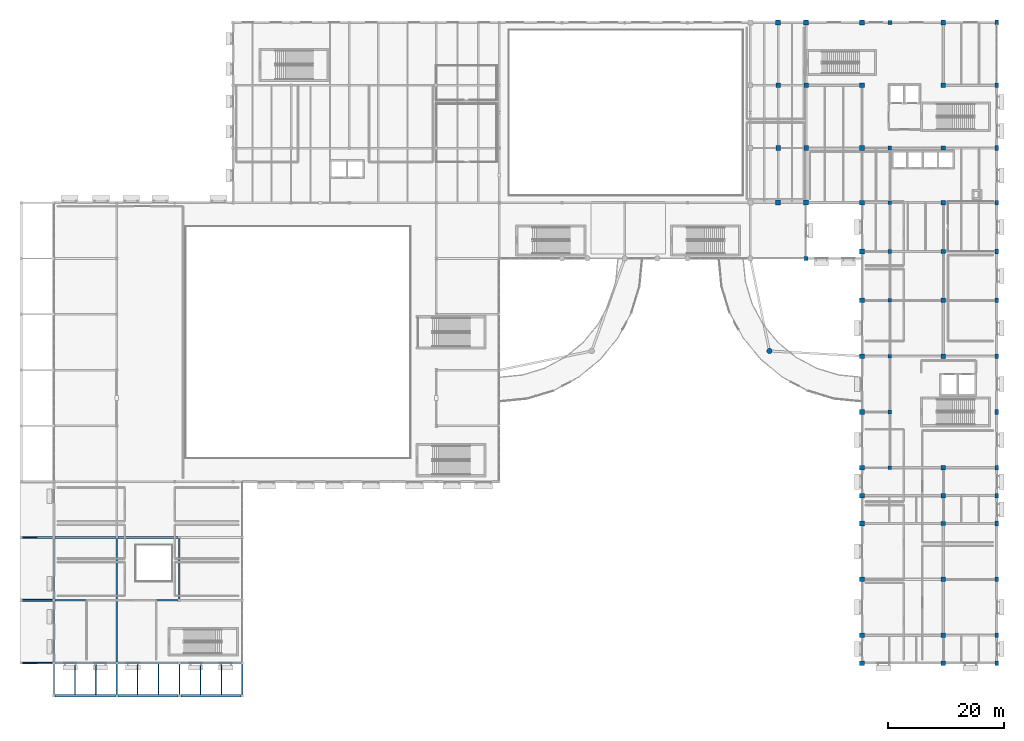
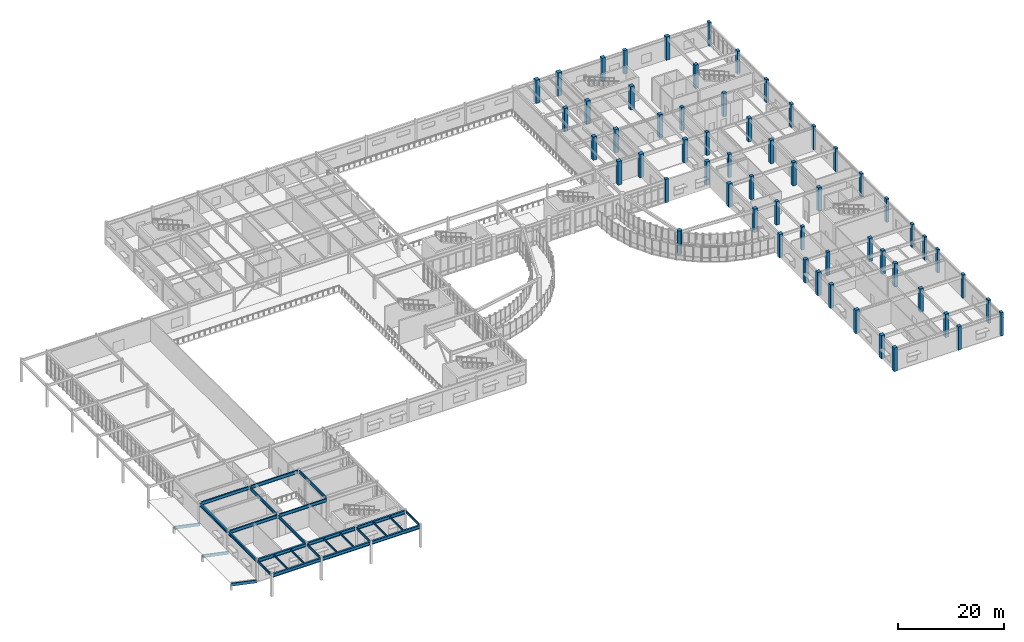
# One storey, part 9 of 72: 59 columns, 25 beams, 3 members, 1 element without a shape of its own.
"""IFC4 building model written with IfcOpenShell, lengths in metres."""

from ifc_helpers import new_model, si_unit, direction, frame, origin, origin_2d, place, context, subcontext, project, spatial, rectangle, circle, i_section, extrude, material, material_profile, profile_set, type_object, element, aggregate, save


model = new_model("IFC4")

# Units and contexts
model_context = context("Model", 3, precision=1e-05, world=origin(), true_north=direction((0.0, 1.0)))
body_context = subcontext(model_context, "Body", "Model", "MODEL_VIEW")
ifc_project = project(units=[si_unit("LENGTHUNIT", "METRE"), si_unit("AREAUNIT", "SQUARE_METRE"), si_unit("VOLUMEUNIT", "CUBIC_METRE"), si_unit("PLANEANGLEUNIT", "RADIAN"), si_unit("MASSUNIT", "GRAM", prefix="KILO")], contexts=[model_context])

# Site, building, storey
site_placement = place(None, origin())
site = spatial("IfcSite", under=ifc_project, at=site_placement, CompositionType="ELEMENT")
building_placement = place(site_placement, origin())
building = spatial("IfcBuilding", under=site, at=building_placement, Name="Veldera Park Congress Hotel", CompositionType="ELEMENT")
storey_placement = place(building_placement, frame((0.0, 0.0, 5.39990234375)))
storey = spatial("IfcBuildingStorey", under=building, at=storey_placement, Name="L01", CompositionType="ELEMENT", Elevation=5.39990234375)

# Columns
ifc_material_1 = material(Name="Concrete f'c 40 MPa (5,800 psi)", Category="concrete")
ifc_material_profile_1 = material_profile(ifc_material_1, rectangle(XDim=0.550048828125, YDim=0.800048828125, at=origin_2d()), Name="RC 550x800")
ifc_profile_set_1 = profile_set([ifc_material_profile_1], Name="Concrete f'c 40 MPa (5,800 psi)")
column_type_1 = type_object("IfcColumnType", Name="COL-PIL75E", PredefinedType="PILASTER", material=ifc_profile_set_1)
for number, where, z_axis, x_axis, name in (
    (1, (84.0, -52.199951171875, 0.0), (0.0, 0.0, 1.0), (1.0, 0.0, 0.0), "L01 Column COL-PIL75E (84.0,-52.2)"),
    (2, (84.0, -47.39990234375, 0.0), (0.0, 0.0, 1.0), (1.0, 0.0, 0.0), "L01 Column COL-PIL75E (84.0,-47.4)"),
    (3, (84.0, -37.800048828125, 0.0), (0.0, 0.0, 1.0), (1.0, 0.0, 0.0), "L01 Column COL-PIL75E (84.0,-37.8)"),
    (4, (84.0, -28.199951171875, 0.0), (0.0, 0.0, 1.0), (1.0, 0.0, 0.0), "L01 Column COL-PIL75E (84.0,-28.2)"),
    (5, (84.0, -23.39990234375, 0.0), (0.0, 0.0, 1.0), (1.0, 0.0, 0.0), "L01 Column COL-PIL75E (84.0,-23.4)"),
    (6, (84.0, -18.60009765625, 0.0), (0.0, 0.0, 1.0), (1.0, 0.0, 0.0), "L01 Column COL-PIL75E (84.0,-18.6)"),
    (7, (84.0, -9.0, 0.0), (0.0, 0.0, 1.0), (1.0, 0.0, 0.0), "L01 Column COL-PIL75E (84.0,-9.0)"),
    (8, (84.0, 0.60009765625, 0.0), (0.0, 0.0, 1.0), (1.0, 0.0, 0.0), "L01 Column COL-PIL75E (84.0,0.6)"),
    (9, (84.0, 10.199951171875, 0.0), (0.0, 0.0, 1.0), (1.0, 0.0, 0.0), "L01 Column COL-PIL75E (84.0,10.2)"),
    (10, (84.0, 18.60009765625, 0.0), (0.0, 0.0, 1.0), (1.0, 0.0, 0.0), "L01 Column COL-PIL75E (84.0,18.6)"),
    (11, (84.0, 27.0, 0.0), (0.0, 0.0, 1.0), (1.0, 0.0, 0.0), "L01 Column COL-PIL75E (84.0,27.0)"),
    (12, (84.0, 36.39990234375, 0.0), (0.0, 0.0, 1.0), (1.0, 0.0, 0.0), "L01 Column COL-PIL75E (84.0,36.4)"),
    (13, (84.0, 47.199951171875, 0.0), (0.0, 0.0, 1.0), (1.0, 0.0, 0.0), "L01 Column COL-PIL75E (84.0,47.2)"),
    (14, (84.0, 58.0, 0.0), (0.0, 0.0, 1.0), (1.0, 0.0, 0.0), "L01 Column COL-PIL75E (84.0,58.0)"),
):
    element("IfcColumn", number, at=place(storey_placement, frame(where, z_axis=z_axis, x_axis=x_axis)), inside=storey, type_object=column_type_1, Name=name, PredefinedType="PILASTER", context=body_context, shape_type="SweptSolid", body=[
        extrude(rectangle(XDim=0.550048828125, YDim=0.800048828125, at=origin_2d()), origin(), (0.0, 0.0, 1.0), 5.400146484375),
    ])
ifc_material_profile_2 = material_profile(ifc_material_1, rectangle(XDim=0.64990234375, YDim=0.64990234375, at=origin_2d()), Name="RC 650x650")
ifc_profile_set_2 = profile_set([ifc_material_profile_2], Name="Concrete f'c 40 MPa (5,800 psi)")
column_type_2 = type_object("IfcColumnType", Name="COL-RC60E", PredefinedType="COLUMN", material=ifc_profile_set_2)
column_1_placement = place(storey_placement, frame((51.199951171875, 17.39990234375, 0.0), z_axis=(0.0, 0.0, 1.0), x_axis=(1.0, 0.0, 0.0)))
element("IfcColumn", 15, at=column_1_placement, inside=storey, type_object=column_type_2, Name="L01 Column COL-RC60E (51.2,17.4)", PredefinedType="COLUMN", context=body_context, shape_type="SweptSolid", body=[
    extrude(rectangle(XDim=0.64990234375, YDim=0.64990234375, at=origin_2d()), origin(), (0.0, 0.0, 1.0), 5.400146484375),
])
ifc_material_profile_3 = material_profile(ifc_material_1, rectangle(XDim=0.64990234375, YDim=0.64990234375, at=origin_2d()), Name="RC 650x650")
ifc_profile_set_3 = profile_set([ifc_material_profile_3], Name="Concrete f'c 40 MPa (5,800 psi)")
column_type_3 = type_object("IfcColumnType", Name="COL-RC65", PredefinedType="COLUMN", material=ifc_profile_set_3)
for number, where, z_axis, x_axis, name in (
    (16, (65.60009765625, -18.60009765625, 0.0), (0.0, 0.0, 1.0), (1.0, 0.0, 0.0), "L01 Column COL-RC65 (65.6,-18.6)"),
    (17, (65.60009765625, -9.0, 0.0), (0.0, 0.0, 1.0), (1.0, 0.0, 0.0), "L01 Column COL-RC65 (65.6,-9.0)"),
    (18, (65.60009765625, 0.60009765625, 0.0), (0.0, 0.0, 1.0), (1.0, 0.0, 0.0), "L01 Column COL-RC65 (65.6,0.6)"),
    (19, (65.60009765625, 10.199951171875, 0.0), (0.0, 0.0, 1.0), (1.0, 0.0, 0.0), "L01 Column COL-RC65 (65.6,10.2)"),
    (20, (65.60009765625, 18.60009765625, 0.0), (0.0, 0.0, 1.0), (1.0, 0.0, 0.0), "L01 Column COL-RC65 (65.6,18.6)"),
    (21, (65.60009765625, 27.0, 0.0), (0.0, 0.0, 1.0), (1.0, 0.0, 0.0), "L01 Column COL-RC65 (65.6,27.0)"),
    (22, (65.60009765625, 36.39990234375, 0.0), (0.0, 0.0, 1.0), (1.0, 0.0, 0.0), "L01 Column COL-RC65 (65.6,36.4)"),
):
    element("IfcColumn", number, at=place(storey_placement, frame(where, z_axis=z_axis, x_axis=x_axis)), inside=storey, type_object=column_type_3, Name=name, PredefinedType="COLUMN", context=body_context, shape_type="SweptSolid", body=[
        extrude(rectangle(XDim=0.64990234375, YDim=0.64990234375, at=origin_2d()), origin(), (0.0, 0.0, 1.0), 5.400146484375),
    ])
ifc_material_profile_4 = material_profile(ifc_material_1, rectangle(XDim=0.699951171875, YDim=0.699951171875, at=origin_2d()), Name="RC 700x700")
ifc_profile_set_4 = profile_set([ifc_material_profile_4], Name="Concrete f'c 40 MPa (5,800 psi)")
column_type_4 = type_object("IfcColumnType", Name="COL-RC65E", PredefinedType="COLUMN", material=ifc_profile_set_4)
column_2_placement = place(storey_placement, frame((65.60009765625, 58.0, 0.0), z_axis=(0.0, 0.0, 1.0), x_axis=(1.0, 0.0, 0.0)))
element("IfcColumn", 23, at=column_2_placement, inside=storey, type_object=column_type_4, Name="L01 Column COL-RC65E (65.6,58.0)", PredefinedType="COLUMN", context=body_context, shape_type="SweptSolid", body=[
    extrude(rectangle(XDim=0.699951171875, YDim=0.699951171875, at=origin_2d()), origin(), (0.0, 0.0, 1.0), 5.400146484375),
])
ifc_material_profile_5 = material_profile(ifc_material_1, rectangle(XDim=0.75, YDim=0.75, at=origin_2d()), Name="RC 750x750")
ifc_profile_set_5 = profile_set([ifc_material_profile_5], Name="Concrete f'c 40 MPa (5,800 psi)")
column_type_5 = type_object("IfcColumnType", Name="COL-RC75", PredefinedType="COLUMN", material=ifc_profile_set_5)
for number, where, z_axis, x_axis, name in (
    (24, (74.800048828125, -52.199951171875, 0.0), (0.0, 0.0, 1.0), (1.0, 0.0, 0.0), "L01 Column COL-RC75 (74.8,-52.2)"),
    (25, (74.800048828125, -47.39990234375, 0.0), (0.0, 0.0, 1.0), (1.0, 0.0, 0.0), "L01 Column COL-RC75 (74.8,-47.4)"),
    (26, (74.800048828125, -37.800048828125, 0.0), (0.0, 0.0, 1.0), (1.0, 0.0, 0.0), "L01 Column COL-RC75 (74.8,-37.8)"),
    (27, (74.800048828125, -28.199951171875, 0.0), (0.0, 0.0, 1.0), (1.0, 0.0, 0.0), "L01 Column COL-RC75 (74.8,-28.2)"),
    (28, (74.800048828125, -23.39990234375, 0.0), (0.0, 0.0, 1.0), (1.0, 0.0, 0.0), "L01 Column COL-RC75 (74.8,-23.4)"),
    (29, (74.800048828125, -18.60009765625, 0.0), (0.0, 0.0, 1.0), (1.0, 0.0, 0.0), "L01 Column COL-RC75 (74.8,-18.6)"),
    (30, (74.800048828125, 0.60009765625, 0.0), (0.0, 0.0, 1.0), (1.0, 0.0, 0.0), "L01 Column COL-RC75 (74.8,0.6)"),
    (31, (74.800048828125, 10.199951171875, 0.0), (0.0, 0.0, 1.0), (1.0, 0.0, 0.0), "L01 Column COL-RC75 (74.8,10.2)"),
    (32, (74.800048828125, 18.60009765625, 0.0), (0.0, 0.0, 1.0), (1.0, 0.0, 0.0), "L01 Column COL-RC75 (74.8,18.6)"),
    (33, (74.800048828125, 27.0, 0.0), (0.0, 0.0, 1.0), (1.0, 0.0, 0.0), "L01 Column COL-RC75 (74.8,27.0)"),
    (34, (74.800048828125, 36.39990234375, 0.0), (0.0, 0.0, 1.0), (1.0, 0.0, 0.0), "L01 Column COL-RC75 (74.8,36.4)"),
    (35, (74.800048828125, 47.199951171875, 0.0), (0.0, 0.0, 1.0), (1.0, 0.0, 0.0), "L01 Column COL-RC75 (74.8,47.2)"),
):
    element("IfcColumn", number, at=place(storey_placement, frame(where, z_axis=z_axis, x_axis=x_axis)), inside=storey, type_object=column_type_5, Name=name, PredefinedType="COLUMN", context=body_context, shape_type="SweptSolid", body=[
        extrude(rectangle(XDim=0.75, YDim=0.75, at=origin_2d()), origin(), (0.0, 0.0, 1.0), 5.400146484375),
    ])
ifc_material_profile_6 = material_profile(ifc_material_1, rectangle(XDim=0.800048828125, YDim=0.800048828125, at=origin_2d()), Name="RC 800x800")
ifc_profile_set_6 = profile_set([ifc_material_profile_6], Name="Concrete f'c 40 MPa (5,800 psi)")
column_type_6 = type_object("IfcColumnType", Name="COL-RC75E", PredefinedType="COLUMN", material=ifc_profile_set_6)
for number, where, z_axis, x_axis, name in (
    (36, (60.800048828125, -52.199951171875, 0.0), (0.0, 0.0, 1.0), (1.0, 0.0, 0.0), "L01 Column COL-RC75E (60.8,-52.2)"),
    (37, (60.800048828125, -47.39990234375, 0.0), (0.0, 0.0, 1.0), (1.0, 0.0, 0.0), "L01 Column COL-RC75E (60.8,-47.4)"),
    (38, (60.800048828125, -37.800048828125, 0.0), (0.0, 0.0, 1.0), (1.0, 0.0, 0.0), "L01 Column COL-RC75E (60.8,-37.8)"),
    (39, (60.800048828125, -28.199951171875, 0.0), (0.0, 0.0, 1.0), (1.0, 0.0, 0.0), "L01 Column COL-RC75E (60.8,-28.2)"),
    (40, (60.800048828125, -23.39990234375, 0.0), (0.0, 0.0, 1.0), (1.0, 0.0, 0.0), "L01 Column COL-RC75E (60.8,-23.4)"),
    (41, (60.800048828125, -18.60009765625, 0.0), (0.0, 0.0, 1.0), (1.0, 0.0, 0.0), "L01 Column COL-RC75E (60.8,-18.6)"),
    (42, (60.800048828125, -9.0, 0.0), (0.0, 0.0, 1.0), (1.0, 0.0, 0.0), "L01 Column COL-RC75E (60.8,-9.0)"),
    (43, (60.800048828125, 0.60009765625, 0.0), (0.0, 0.0, 1.0), (1.0, 0.0, 0.0), "L01 Column COL-RC75E (60.8,0.6)"),
    (44, (60.800048828125, 10.199951171875, 0.0), (0.0, 0.0, 1.0), (1.0, 0.0, 0.0), "L01 Column COL-RC75E (60.8,10.2)"),
    (45, (60.800048828125, 18.60009765625, 0.0), (0.0, 0.0, 1.0), (1.0, 0.0, 0.0), "L01 Column COL-RC75E (60.8,18.6)"),
    (46, (60.800048828125, 27.0, 0.0), (0.0, 0.0, 1.0), (1.0, 0.0, 0.0), "L01 Column COL-RC75E (60.8,27.0)"),
    (47, (60.800048828125, 36.39990234375, 0.0), (0.0, 0.0, 1.0), (1.0, 0.0, 0.0), "L01 Column COL-RC75E (60.8,36.4)"),
    (48, (60.800048828125, 47.199951171875, 0.0), (0.0, 0.0, 1.0), (1.0, 0.0, 0.0), "L01 Column COL-RC75E (60.8,47.2)"),
    (49, (60.800048828125, 58.0, 0.0), (0.0, 0.0, 1.0), (1.0, 0.0, 0.0), "L01 Column COL-RC75E (60.8,58.0)"),
    (50, (74.800048828125, 58.0, 0.0), (0.0, 0.0, 1.0), (1.0, 0.0, 0.0), "L01 Column COL-RC75E (74.8,58.0)"),
):
    element("IfcColumn", number, at=place(storey_placement, frame(where, z_axis=z_axis, x_axis=x_axis)), inside=storey, type_object=column_type_6, Name=name, PredefinedType="COLUMN", context=body_context, shape_type="SweptSolid", body=[
        extrude(rectangle(XDim=0.800048828125, YDim=0.800048828125, at=origin_2d()), origin(), (0.0, 0.0, 1.0), 5.400146484375),
    ])
ifc_material_2 = material(Name="Concrete f'c 50 MPa (7,250 psi)", Category="concrete")
ifc_material_profile_7 = material_profile(ifc_material_2, rectangle(XDim=0.800048828125, YDim=0.800048828125, at=origin_2d()), Name="RC 800x800")
ifc_profile_set_7 = profile_set([ifc_material_profile_7], Name="Concrete f'c 50 MPa (7,250 psi)")
column_type_7 = type_object("IfcColumnType", Name="COL-RC80", PredefinedType="COLUMN", material=ifc_profile_set_7)
for number, where, z_axis, x_axis, name in (
    (51, (46.39990234375, 36.39990234375, 0.0), (0.0, 0.0, 1.0), (1.0, 0.0, 0.0), "L01 Column COL-RC80 (46.4,36.4)"),
    (52, (46.39990234375, 47.199951171875, 0.0), (0.0, 0.0, 1.0), (1.0, 0.0, 0.0), "L01 Column COL-RC80 (46.4,47.2)"),
    (53, (51.199951171875, 36.39990234375, 0.0), (0.0, 0.0, 1.0), (1.0, 0.0, 0.0), "L01 Column COL-RC80 (51.2,36.4)"),
    (54, (51.199951171875, 47.199951171875, 0.0), (0.0, 0.0, 1.0), (1.0, 0.0, 0.0), "L01 Column COL-RC80 (51.2,47.2)"),
):
    element("IfcColumn", number, at=place(storey_placement, frame(where, z_axis=z_axis, x_axis=x_axis)), inside=storey, type_object=column_type_7, Name=name, PredefinedType="COLUMN", context=body_context, shape_type="SweptSolid", body=[
        extrude(rectangle(XDim=0.800048828125, YDim=0.800048828125, at=origin_2d()), origin(), (0.0, 0.0, 1.0), 5.400146484375),
    ])
ifc_material_profile_8 = material_profile(ifc_material_2, rectangle(XDim=0.85009765625, YDim=0.85009765625, at=origin_2d()), Name="RC 850x850")
ifc_profile_set_8 = profile_set([ifc_material_profile_8], Name="Concrete f'c 50 MPa (7,250 psi)")
column_type_8 = type_object("IfcColumnType", Name="COL-RC80E", PredefinedType="COLUMN", material=ifc_profile_set_8)
for number, where, z_axis, x_axis, name in (
    (55, (46.39990234375, 27.0, 0.0), (0.0, 0.0, 1.0), (1.0, 0.0, 0.0), "L01 Column COL-RC80E (46.4,27.0)"),
    (56, (46.39990234375, 58.0, 0.0), (0.0, 0.0, 1.0), (1.0, 0.0, 0.0), "L01 Column COL-RC80E (46.4,58.0)"),
    (57, (51.199951171875, 27.0, 0.0), (0.0, 0.0, 1.0), (1.0, 0.0, 0.0), "L01 Column COL-RC80E (51.2,27.0)"),
    (58, (51.199951171875, 58.0, 0.0), (0.0, 0.0, 1.0), (1.0, 0.0, 0.0), "L01 Column COL-RC80E (51.2,58.0)"),
):
    element("IfcColumn", number, at=place(storey_placement, frame(where, z_axis=z_axis, x_axis=x_axis)), inside=storey, type_object=column_type_8, Name=name, PredefinedType="COLUMN", context=body_context, shape_type="SweptSolid", body=[
        extrude(rectangle(XDim=0.85009765625, YDim=0.85009765625, at=origin_2d()), origin(), (0.0, 0.0, 1.0), 5.400146484375),
    ])
ifc_material_profile_9 = material_profile(ifc_material_2, circle(Radius=0.47509765625, at=origin_2d()), Name="RC D950")
ifc_profile_set_9 = profile_set([ifc_material_profile_9], Name="Concrete f'c 50 MPa (7,250 psi)")
column_type_9 = type_object("IfcColumnType", Name="COL-RCD90E", PredefinedType="COLUMN", material=ifc_profile_set_9)
column_3_placement = place(storey_placement, frame((44.89013671875, 1.489990234375, 0.0), z_axis=(0.0, 0.0, 1.0), x_axis=(1.0, 0.0, 0.0)))
element("IfcColumn", 59, at=column_3_placement, inside=storey, type_object=column_type_9, Name="L01 Column COL-RCD90E (44.9,1.5)", PredefinedType="COLUMN", context=body_context, shape_type="SweptSolid", body=[
    extrude(circle(Radius=0.47509765625, at=origin_2d()), origin(), (0.0, 0.0, 1.0), 5.400146484375),
])

# Beams
ifc_material_3 = material(Name="Steel ASTM A992 Gr.50", Category="steel")
ifc_material_profile_10 = material_profile(ifc_material_3, i_section(OverallWidth=0.2119140625, OverallDepth=0.5439453125, WebThickness=0.01318359375, FlangeThickness=0.021240234375, at=origin_2d()), Name="W21X83")
ifc_profile_set_10 = profile_set([ifc_material_profile_10], Name="Steel ASTM A992 Gr.50")
beam_type_1 = type_object("IfcBeamType", Name="BM-W21C", PredefinedType="BEAM", material=ifc_profile_set_10)
for number, where, z_axis, x_axis, name in (
    (60, (-67.39990234375, -57.574951171875, 4.858154296875), (0.0, 1.0, 0.0), (-1.0, 0.0, 0.0), "L01 Girder BM-W21C 673"),
    (61, (-56.60009765625, -57.574951171875, 4.858154296875), (0.0, 1.0, 0.0), (-1.0, 0.0, 0.0), "L01 Girder BM-W21C 682"),
    (62, (-45.800048828125, -57.574951171875, 4.858154296875), (0.0, 1.0, 0.0), (-1.0, 0.0, 0.0), "L01 Girder BM-W21C 687"),
):
    element("IfcBeam", number, at=place(storey_placement, frame(where, z_axis=z_axis, x_axis=x_axis)), inside=storey, type_object=beam_type_1, Name=name, PredefinedType="BEAM", context=body_context, shape_type="SweptSolid", body=[
        extrude(i_section(OverallWidth=0.2119140625, OverallDepth=0.5439453125, WebThickness=0.01318359375, FlangeThickness=0.021240234375, at=origin_2d()), origin(), (0.0, 0.0, 1.0), 5.14990234375),
    ])
ifc_material_profile_11 = material_profile(ifc_material_3, i_section(OverallWidth=0.2119140625, OverallDepth=0.5439453125, WebThickness=0.01318359375, FlangeThickness=0.021240234375, at=origin_2d()), Name="W21X83")
ifc_profile_set_11 = profile_set([ifc_material_profile_11], Name="Steel ASTM A992 Gr.50")
beam_type_2 = type_object("IfcBeamType", Name="BM-W21CE", PredefinedType="BEAM", material=ifc_profile_set_11)
beam_1_placement = place(storey_placement, frame((-78.199951171875, -57.574951171875, 4.858154296875), z_axis=(0.0, 1.0, 0.0), x_axis=(-1.0, 0.0, 0.0)))
element("IfcBeam", 63, at=beam_1_placement, inside=storey, type_object=beam_type_2, Name="L01 Girder BM-W21CE 664", PredefinedType="BEAM", context=body_context, shape_type="SweptSolid", body=[
    extrude(i_section(OverallWidth=0.2119140625, OverallDepth=0.5439453125, WebThickness=0.01318359375, FlangeThickness=0.021240234375, at=origin_2d()), origin(), (0.0, 0.0, 1.0), 5.14990234375),
])
ifc_material_profile_12 = material_profile(ifc_material_3, i_section(OverallWidth=0.256103515625, OverallDepth=0.693115234375, WebThickness=0.014404296875, FlangeThickness=0.023681640625, at=origin_2d()), Name="W27X114")
ifc_profile_set_12 = profile_set([ifc_material_profile_12], Name="Steel ASTM A992 Gr.50")
beam_type_3 = type_object("IfcBeamType", Name="BM-W27", PredefinedType="BEAM", material=ifc_profile_set_12)
beam_2_placement = place(storey_placement, frame((-67.39990234375, -51.97509765625, 4.78369140625), z_axis=(0.0, 1.0, 0.0), x_axis=(-1.0, 0.0, 0.0)))
element("IfcBeam", 64, at=beam_2_placement, inside=storey, type_object=beam_type_3, Name="L01 Girder BM-W27 674", PredefinedType="BEAM", context=body_context, shape_type="SweptSolid", body=[
    extrude(i_section(OverallWidth=0.256103515625, OverallDepth=0.693115234375, WebThickness=0.014404296875, FlangeThickness=0.023681640625, at=origin_2d()), origin(), (0.0, 0.0, 1.0), 10.364990234375),
])
for number, where, z_axis, x_axis, name in (
    (65, (-67.39990234375, -41.18994140625, 4.78369140625), (0.0, 1.0, 0.0), (-1.0, 0.0, 0.0), "L01 Girder BM-W27 675"),
    (66, (-56.60009765625, -41.18994140625, 4.78369140625), (0.0, 1.0, 0.0), (-1.0, 0.0, 0.0), "L01 Girder BM-W27 683"),
):
    element("IfcBeam", number, at=place(storey_placement, frame(where, z_axis=z_axis, x_axis=x_axis)), inside=storey, type_object=beam_type_3, Name=name, PredefinedType="BEAM", context=body_context, shape_type="SweptSolid", body=[
        extrude(i_section(OverallWidth=0.256103515625, OverallDepth=0.693115234375, WebThickness=0.014404296875, FlangeThickness=0.023681640625, at=origin_2d()), origin(), (0.0, 0.0, 1.0), 10.3798828125),
    ])
ifc_material_profile_13 = material_profile(ifc_material_3, i_section(OverallWidth=0.35498046875, OverallDepth=0.696044921875, WebThickness=0.015380859375, FlangeThickness=0.02490234375, at=origin_2d()), Name="W27X146")
ifc_profile_set_13 = profile_set([ifc_material_profile_13], Name="Steel ASTM A992 Gr.50")
beam_type_4 = type_object("IfcBeamType", Name="BM-W27E", PredefinedType="BEAM", material=ifc_profile_set_13)
for number, where, z_axis, x_axis, name in (
    (67, (-78.199951171875, -51.97509765625, 4.781982421875), (0.0, 1.0, 0.0), (-1.0, 0.0, 0.0), "L01 Girder BM-W27E 665"),
    (68, (-78.199951171875, -41.175048828125, 4.781982421875), (0.0, 1.0, 0.0), (-1.0, 0.0, 0.0), "L01 Girder BM-W27E 666"),
):
    element("IfcBeam", number, at=place(storey_placement, frame(where, z_axis=z_axis, x_axis=x_axis)), inside=storey, type_object=beam_type_4, Name=name, PredefinedType="BEAM", context=body_context, shape_type="SweptSolid", body=[
        extrude(i_section(OverallWidth=0.35498046875, OverallDepth=0.696044921875, WebThickness=0.015380859375, FlangeThickness=0.02490234375, at=origin_2d()), origin(), (0.0, 0.0, 1.0), 10.35009765625),
    ])
ifc_material_profile_14 = material_profile(ifc_material_3, i_section(OverallWidth=0.26708984375, OverallDepth=0.779052734375, WebThickness=0.0166015625, FlangeThickness=0.030029296875, at=origin_2d()), Name="W30X148")
ifc_profile_set_14 = profile_set([ifc_material_profile_14], Name="Steel ASTM A992 Gr.50")
beam_type_5 = type_object("IfcBeamType", Name="BM-W30", PredefinedType="BEAM", material=ifc_profile_set_14)
beam_3_placement = place(storey_placement, frame((-77.97509765625, -41.39990234375, 4.740478515625), z_axis=(1.0, 0.0, 0.0), x_axis=(0.0, 1.0, 0.0)))
element("IfcBeam", 69, at=beam_3_placement, inside=storey, type_object=beam_type_5, Name="L01 Girder BM-W30 557", PredefinedType="BEAM", context=body_context, shape_type="SweptSolid", body=[
    extrude(i_section(OverallWidth=0.26708984375, OverallDepth=0.779052734375, WebThickness=0.0166015625, FlangeThickness=0.030029296875, at=origin_2d()), origin(), (0.0, 0.0, 1.0), 10.364990234375),
])
beam_4_placement = place(storey_placement, frame((-67.18994140625, -41.39990234375, 4.740478515625), z_axis=(1.0, 0.0, 0.0), x_axis=(0.0, 1.0, 0.0)))
element("IfcBeam", 70, at=beam_4_placement, inside=storey, type_object=beam_type_5, Name="L01 Girder BM-W30 558", PredefinedType="BEAM", context=body_context, shape_type="SweptSolid", body=[
    extrude(i_section(OverallWidth=0.26708984375, OverallDepth=0.779052734375, WebThickness=0.0166015625, FlangeThickness=0.030029296875, at=origin_2d()), origin(), (0.0, 0.0, 1.0), 10.3798828125),
])
beam_5_placement = place(storey_placement, frame((-77.97509765625, -30.60009765625, 4.740478515625), z_axis=(1.0, 0.0, 0.0), x_axis=(0.0, 1.0, 0.0)))
element("IfcBeam", 71, at=beam_5_placement, inside=storey, type_object=beam_type_5, Name="L01 Girder BM-W30 562", PredefinedType="BEAM", context=body_context, shape_type="SweptSolid", body=[
    extrude(i_section(OverallWidth=0.26708984375, OverallDepth=0.779052734375, WebThickness=0.0166015625, FlangeThickness=0.030029296875, at=origin_2d()), origin(), (0.0, 0.0, 1.0), 10.364990234375),
])
beam_6_placement = place(storey_placement, frame((-67.18994140625, -30.60009765625, 4.740478515625), z_axis=(1.0, 0.0, 0.0), x_axis=(0.0, 1.0, 0.0)))
element("IfcBeam", 72, at=beam_6_placement, inside=storey, type_object=beam_type_5, Name="L01 Girder BM-W30 563", PredefinedType="BEAM", context=body_context, shape_type="SweptSolid", body=[
    extrude(i_section(OverallWidth=0.26708984375, OverallDepth=0.779052734375, WebThickness=0.0166015625, FlangeThickness=0.030029296875, at=origin_2d()), origin(), (0.0, 0.0, 1.0), 10.3798828125),
])
ifc_material_profile_15 = material_profile(ifc_material_3, i_section(OverallWidth=0.382080078125, OverallDepth=0.779052734375, WebThickness=0.01806640625, FlangeThickness=0.030029296875, at=origin_2d()), Name="W30X191")
ifc_profile_set_15 = profile_set([ifc_material_profile_15], Name="Steel ASTM A992 Gr.50")
beam_type_6 = type_object("IfcBeamType", Name="BM-W30E", PredefinedType="BEAM", material=ifc_profile_set_15)
for number, where, z_axis, x_axis, name in (
    (73, (-77.97509765625, -57.800048828125, 4.740478515625), (1.0, 0.0, 0.0), (0.0, 1.0, 0.0), "L01 Girder BM-W30E 547"),
    (74, (-67.175048828125, -57.800048828125, 4.740478515625), (1.0, 0.0, 0.0), (0.0, 1.0, 0.0), "L01 Girder BM-W30E 548"),
    (75, (-56.375, -57.800048828125, 4.740478515625), (1.0, 0.0, 0.0), (0.0, 1.0, 0.0), "L01 Girder BM-W30E 549"),
    (76, (-77.97509765625, -52.199951171875, 4.740478515625), (1.0, 0.0, 0.0), (0.0, 1.0, 0.0), "L01 Girder BM-W30E 550"),
    (77, (-67.175048828125, -52.199951171875, 4.740478515625), (1.0, 0.0, 0.0), (0.0, 1.0, 0.0), "L01 Girder BM-W30E 551"),
    (78, (-56.375, -52.199951171875, 4.740478515625), (1.0, 0.0, 0.0), (0.0, 1.0, 0.0), "L01 Girder BM-W30E 552"),
):
    element("IfcBeam", number, at=place(storey_placement, frame(where, z_axis=z_axis, x_axis=x_axis)), inside=storey, type_object=beam_type_6, Name=name, PredefinedType="BEAM", context=body_context, shape_type="SweptSolid", body=[
        extrude(i_section(OverallWidth=0.382080078125, OverallDepth=0.779052734375, WebThickness=0.01806640625, FlangeThickness=0.030029296875, at=origin_2d()), origin(), (0.0, 0.0, 1.0), 10.35009765625),
    ])
ifc_material_profile_16 = material_profile(ifc_material_3, i_section(OverallWidth=0.19189453125, OverallDepth=0.462890625, WebThickness=0.010498046875, FlangeThickness=0.017578125, at=origin_2d()), Name="W18X60")
ifc_profile_set_16 = profile_set([ifc_material_profile_16], Name="Steel ASTM A992 Gr.50")
beam_type_7 = type_object("IfcBeamType", Name="JST-W18C", PredefinedType="JOIST", material=ifc_profile_set_16)
for number, where, z_axis, x_axis, name in (
    (79, (-74.60009765625, -57.60888671875, 4.898681640625), (0.0, 1.0, 0.0), (-1.0, 0.0, 0.0), "L01 Floor Joist JST-W18C 762"),
    (80, (-71.0, -57.60888671875, 4.898681640625), (0.0, 1.0, 0.0), (-1.0, 0.0, 0.0), "L01 Floor Joist JST-W18C 763"),
    (81, (-63.800048828125, -57.60888671875, 4.898681640625), (0.0, 1.0, 0.0), (-1.0, 0.0, 0.0), "L01 Floor Joist JST-W18C 764"),
    (82, (-60.199951171875, -57.60888671875, 4.898681640625), (0.0, 1.0, 0.0), (-1.0, 0.0, 0.0), "L01 Floor Joist JST-W18C 765"),
    (83, (-53.0, -57.60888671875, 4.898681640625), (0.0, 1.0, 0.0), (-1.0, 0.0, 0.0), "L01 Floor Joist JST-W18C 766"),
    (84, (-49.39990234375, -57.60888671875, 4.898681640625), (0.0, 1.0, 0.0), (-1.0, 0.0, 0.0), "L01 Floor Joist JST-W18C 767"),
):
    element("IfcBeam", number, at=place(storey_placement, frame(where, z_axis=z_axis, x_axis=x_axis)), inside=storey, type_object=beam_type_7, Name=name, PredefinedType="JOIST", context=body_context, shape_type="SweptSolid", body=[
        extrude(i_section(OverallWidth=0.19189453125, OverallDepth=0.462890625, WebThickness=0.010498046875, FlangeThickness=0.017578125, at=origin_2d()), origin(), (0.0, 0.0, 1.0), 5.2177734375),
    ])

# Roof, members
ifc_material_4 = material(Name="Cross-laminated timber CLT V2M1.1", Category="wood")
roof_type = type_object("IfcRoofType", Name="ROOF-SHD", PredefinedType="SHED_ROOF", material=ifc_material_4)
roof_placement = place(storey_placement, origin())
roof = element("IfcRoof", 85, at=roof_placement, inside=storey, type_object=roof_type, Name="Sonoran Shaded Park Arcade Roof", PredefinedType="SHED_ROOF")
ifc_material_5 = material(Name="Glulam GL28h (NDS 24F-V4)", Category="wood")
ifc_material_profile_17 = material_profile(ifc_material_5, rectangle(XDim=0.280029296875, YDim=0.639892578125, at=origin_2d()), Name="GL28h 280x640")
ifc_profile_set_17 = profile_set([ifc_material_profile_17], Name="Glulam GL28h (NDS 24F-V4)")
member_type = type_object("IfcMemberType", Name="RAF-GL640", PredefinedType="RAFTER", material=ifc_profile_set_17)
member_1_placement = place(storey_placement, frame((-83.800048828125, -52.199951171875, 1.25), z_axis=(0.978867370524, 0.0, -0.204496139138), x_axis=(0.0, 1.0, 0.0)))
member_1 = element("IfcMember", 86, at=member_1_placement, type_object=member_type, Name="West Park Arcade Rafter 52", PredefinedType="RAFTER", context=body_context, shape_type="SweptSolid", body=[
    extrude(rectangle(XDim=0.280029296875, YDim=0.639892578125, at=origin_2d()), origin(), (0.0, 0.0, 1.0), 5.720947265625),
])
member_2_placement = place(storey_placement, frame((-83.800048828125, -41.39990234375, 1.25), z_axis=(0.978867370524, 0.0, -0.204496139138), x_axis=(0.0, 1.0, 0.0)))
member_2 = element("IfcMember", 87, at=member_2_placement, type_object=member_type, Name="West Park Arcade Rafter 41", PredefinedType="RAFTER", context=body_context, shape_type="SweptSolid", body=[
    extrude(rectangle(XDim=0.280029296875, YDim=0.639892578125, at=origin_2d()), origin(), (0.0, 0.0, 1.0), 5.720947265625),
])
member_3_placement = place(storey_placement, frame((-83.800048828125, -30.60009765625, 1.25), z_axis=(0.978867370524, 0.0, -0.204496139138), x_axis=(0.0, 1.0, 0.0)))
member_3 = element("IfcMember", 88, at=member_3_placement, type_object=member_type, Name="West Park Arcade Rafter 30", PredefinedType="RAFTER", context=body_context, shape_type="SweptSolid", body=[
    extrude(rectangle(XDim=0.280029296875, YDim=0.639892578125, at=origin_2d()), origin(), (0.0, 0.0, 1.0), 5.720947265625),
])
aggregate(roof, [member_1, member_2, member_3])

save(model, "model.ifc")
